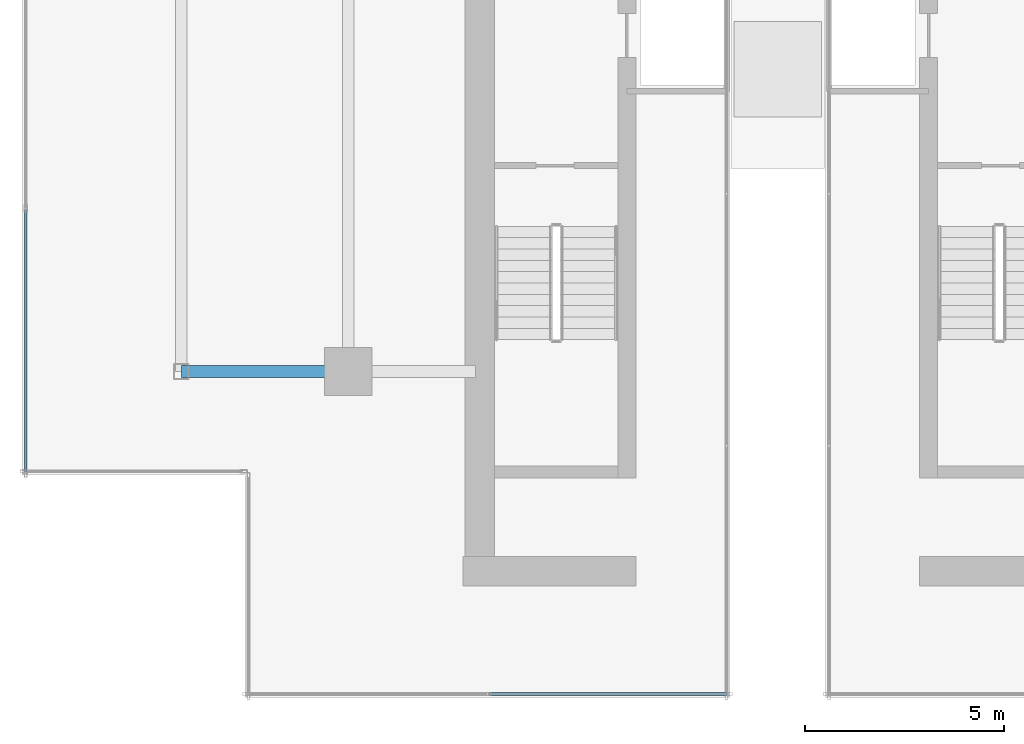
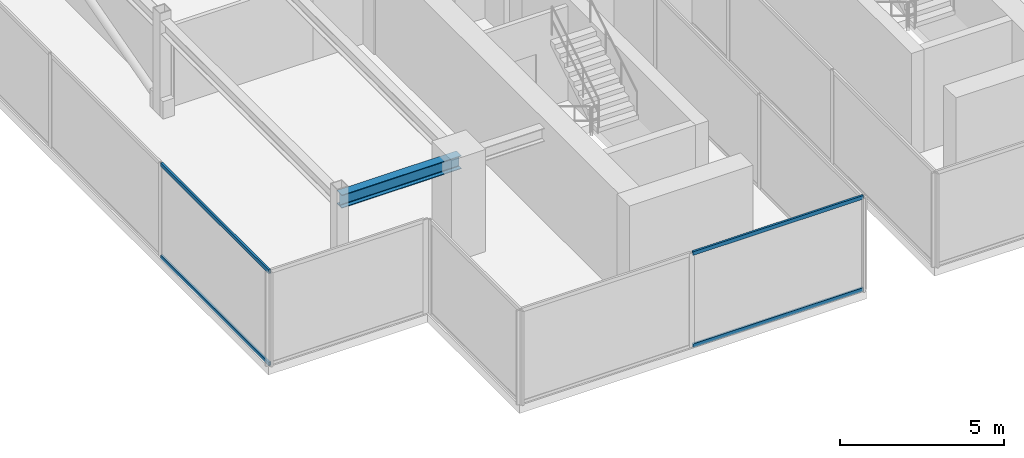
# One storey, part 3 of 25: 4 members, 1 beam, 2 elements without a shape of their own.
"""IFC4 building model written with IfcOpenShell, lengths in metres."""

from ifc_helpers import new_model, si_unit, direction, frame, origin, origin_2d, place, context, subcontext, project, spatial, hollow_rectangle, i_section, extrude, source, transform, mapped, material, material_profile, profile_set, type_object, type_shapes, element, aggregate, save


model = new_model("IFC4")

# Units and contexts
model_context = context("Model", 3, precision=1e-05, world=origin(), true_north=direction((0.0, 1.0)))
body_context = subcontext(model_context, "Body", "Model", "MODEL_VIEW")
ifc_project = project(units=[si_unit("LENGTHUNIT", "METRE"), si_unit("AREAUNIT", "SQUARE_METRE"), si_unit("VOLUMEUNIT", "CUBIC_METRE"), si_unit("PLANEANGLEUNIT", "RADIAN"), si_unit("MASSUNIT", "GRAM", prefix="KILO")], contexts=[model_context])

# Site, building, storey
site_placement = place(None, origin())
site = spatial("IfcSite", under=ifc_project, at=site_placement, CompositionType="ELEMENT")
building_placement = place(site_placement, origin())
building = spatial("IfcBuilding", under=site, at=building_placement, Name="Krantzveldt Concourse Tower", CompositionType="ELEMENT")
storey_placement = place(building_placement, frame((0.0, 0.0, 367.050048828125)))
storey = spatial("IfcBuildingStorey", under=building, at=storey_placement, Name="L90", CompositionType="ELEMENT", Elevation=367.050048828125)

# Beam
ifc_material_1 = material(Name="Steel S355JR", Category="steel")
ifc_material_profile_1 = material_profile(ifc_material_1, i_section(OverallWidth=0.300048828125, OverallDepth=0.489990234375, WebThickness=0.011962890625, FlangeThickness=0.02294921875, FilletRadius=0.027099609375, at=origin_2d()), Name="Steel S355JR", Category="steel")
ifc_profile_set_1 = profile_set([ifc_material_profile_1], Name="Steel S355JR - HEA 500")
beam_type = type_object("IfcBeamType", Name="BM-B-HEA500", PredefinedType="BEAM", material=ifc_profile_set_1)
shared_shape_1 = source(origin(), body_context, "Body", "SweptSolid", [
    extrude(i_section(OverallWidth=0.300048828125, OverallDepth=0.489990234375, WebThickness=0.011962890625, FlangeThickness=0.02294921875, FilletRadius=0.027099609375, at=origin_2d()), origin(), (0.0, 0.0, 1.0), 4.199951171875),
])
type_shapes(beam_type, [shared_shape_1])
beam_placement = place(storey_placement, frame((21.0, 15.89990234375, 3.2548828125), z_axis=(1.0, 0.0, 0.0), x_axis=(0.0, 1.0, 0.0)))
element("IfcBeam", 1, at=beam_placement, inside=storey, type_object=beam_type, Name="L90 Crown Girder WEST-6", PredefinedType="BEAM", context=body_context, shape_type="MappedRepresentation", body=[
    mapped(shared_shape_1, transform((0.0, 0.0, 0.0), x_axis=(1.0, 0.0, 0.0), y_axis=(0.0, 1.0, 0.0), z_axis=(0.0, 0.0, 1.0), scale=1.0)),
])

# Curtain wall, members
ifc_material_2 = material(Name="Anodised aluminium 6063-T6", Category="aluminium")
curtain_wall_type = type_object("IfcCurtainWallType", Name="CW7", PredefinedType="USERDEFINED", material=ifc_material_2)
curtain_wall_1_placement = place(storey_placement, origin())
curtain_wall_1 = element("IfcCurtainWall", 2, at=curtain_wall_1_placement, inside=storey, type_object=curtain_wall_type, Name="CW-L90-WEST-05", ObjectType="UNITISED CURTAIN WALL", PredefinedType="USERDEFINED")
ifc_material_profile_2 = material_profile(ifc_material_2, hollow_rectangle(XDim=0.070068359375, YDim=0.139892578125, WallThickness=0.0048828125, at=origin_2d()), Name="Anodised aluminium 6063-T6", Category="aluminium")
ifc_profile_set_2 = profile_set([ifc_material_profile_2], Name="Anodised aluminium 6063-T6 - ALU-TRAN 140x70x5")
member_type = type_object("IfcMemberType", Name="CW-TRN-150", PredefinedType="USERDEFINED", material=ifc_profile_set_2)
shared_shape_2 = source(origin(), body_context, "Body", "SweptSolid", [
    extrude(hollow_rectangle(XDim=0.070068359375, YDim=0.139892578125, WallThickness=0.0048828125, at=origin_2d()), origin(), (0.0, 0.0, 1.0), 6.594970703125),
])
member_1_placement = place(storey_placement, frame((17.090087890625, 19.965087890625, 0.034912109375), z_axis=(0.0, -1.0, 0.0), x_axis=(1.0, 0.0, 0.0)))
member_1 = element("IfcMember", 3, at=member_1_placement, type_object=member_type, Name="CW-CRN transom 4.1", ObjectType="TRANSOM", PredefinedType="USERDEFINED", context=body_context, shape_type="MappedRepresentation", body=[
    mapped(shared_shape_2, transform((0.0, 0.0, 0.0), x_axis=(1.0, 0.0, 0.0), y_axis=(0.0, 1.0, 0.0), z_axis=(0.0, 0.0, 1.0), scale=1.0)),
])
member_2_placement = place(storey_placement, frame((17.090087890625, 19.965087890625, 3.46484375), z_axis=(0.0, -1.0, 0.0), x_axis=(1.0, 0.0, 0.0)))
member_2 = element("IfcMember", 4, at=member_2_placement, type_object=member_type, Name="CW-CRN transom 4.2", ObjectType="TRANSOM", PredefinedType="USERDEFINED", context=body_context, shape_type="MappedRepresentation", body=[
    mapped(shared_shape_2, transform((0.0, 0.0, 0.0), x_axis=(1.0, 0.0, 0.0), y_axis=(0.0, 1.0, 0.0), z_axis=(0.0, 0.0, 1.0), scale=1.0)),
])
aggregate(curtain_wall_1, [member_1, member_2])

curtain_wall_2_placement = place(storey_placement, origin())
curtain_wall_2 = element("IfcCurtainWall", 5, at=curtain_wall_2_placement, inside=storey, type_object=curtain_wall_type, Name="CW-L90-WEST-00", ObjectType="UNITISED CURTAIN WALL", PredefinedType="USERDEFINED")
shared_shape_3 = source(origin(), body_context, "Body", "SweptSolid", [
    extrude(hollow_rectangle(XDim=0.070068359375, YDim=0.139892578125, WallThickness=0.0048828125, at=origin_2d()), origin(), (0.0, 0.0, 1.0), 5.994873046875),
])
type_shapes(member_type, [shared_shape_2, shared_shape_3])
member_3_placement = place(storey_placement, frame((28.735107421875, 7.7900390625, 0.034912109375), z_axis=(1.0, 0.0, 0.0), x_axis=(0.0, 1.0, 0.0)))
member_3 = element("IfcMember", 6, at=member_3_placement, type_object=member_type, Name="CW-CRN transom 2.1", ObjectType="TRANSOM", PredefinedType="USERDEFINED", context=body_context, shape_type="MappedRepresentation", body=[
    mapped(shared_shape_3, transform((0.0, 0.0, 0.0), x_axis=(1.0, 0.0, 0.0), y_axis=(0.0, 1.0, 0.0), z_axis=(0.0, 0.0, 1.0), scale=1.0)),
])
member_4_placement = place(storey_placement, frame((28.735107421875, 7.7900390625, 3.46484375), z_axis=(1.0, 0.0, 0.0), x_axis=(0.0, 1.0, 0.0)))
member_4 = element("IfcMember", 7, at=member_4_placement, type_object=member_type, Name="CW-CRN transom 2.2", ObjectType="TRANSOM", PredefinedType="USERDEFINED", context=body_context, shape_type="MappedRepresentation", body=[
    mapped(shared_shape_3, transform((0.0, 0.0, 0.0), x_axis=(1.0, 0.0, 0.0), y_axis=(0.0, 1.0, 0.0), z_axis=(0.0, 0.0, 1.0), scale=1.0)),
])
aggregate(curtain_wall_2, [member_3, member_4])

save(model, "model.ifc")
